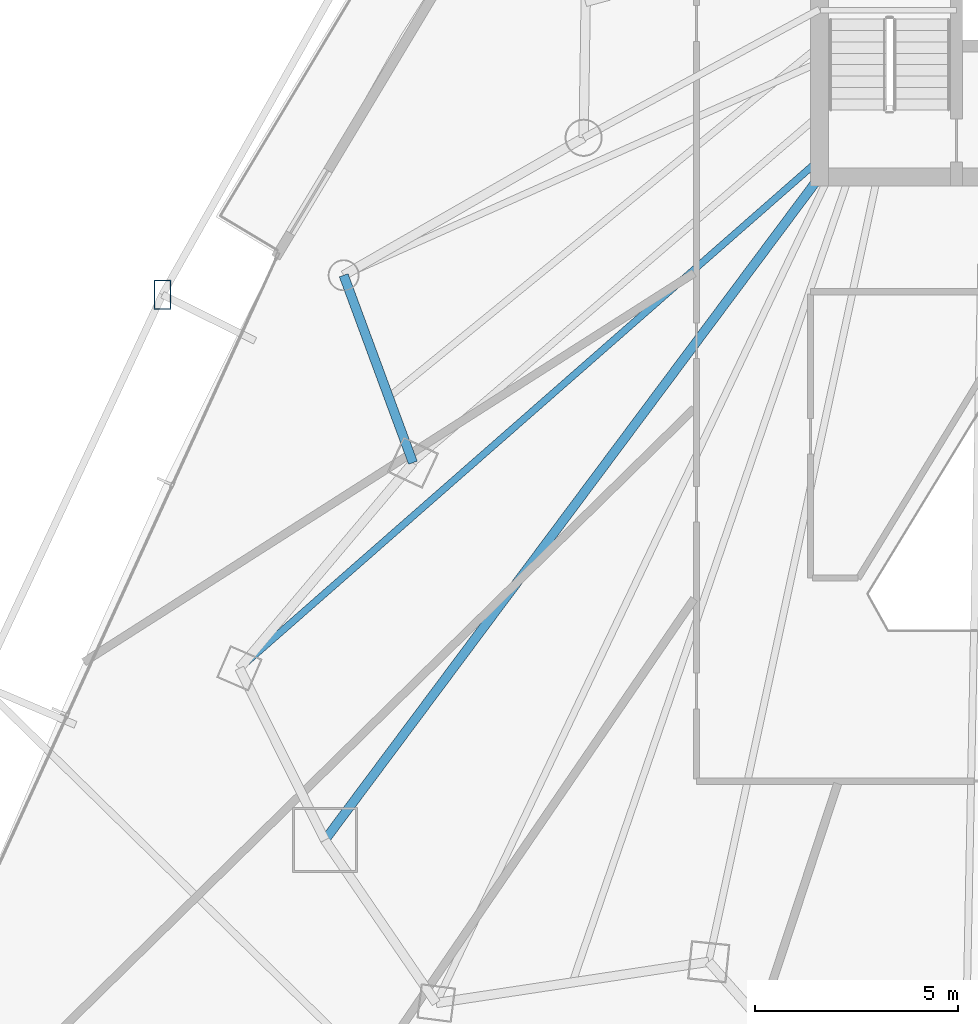
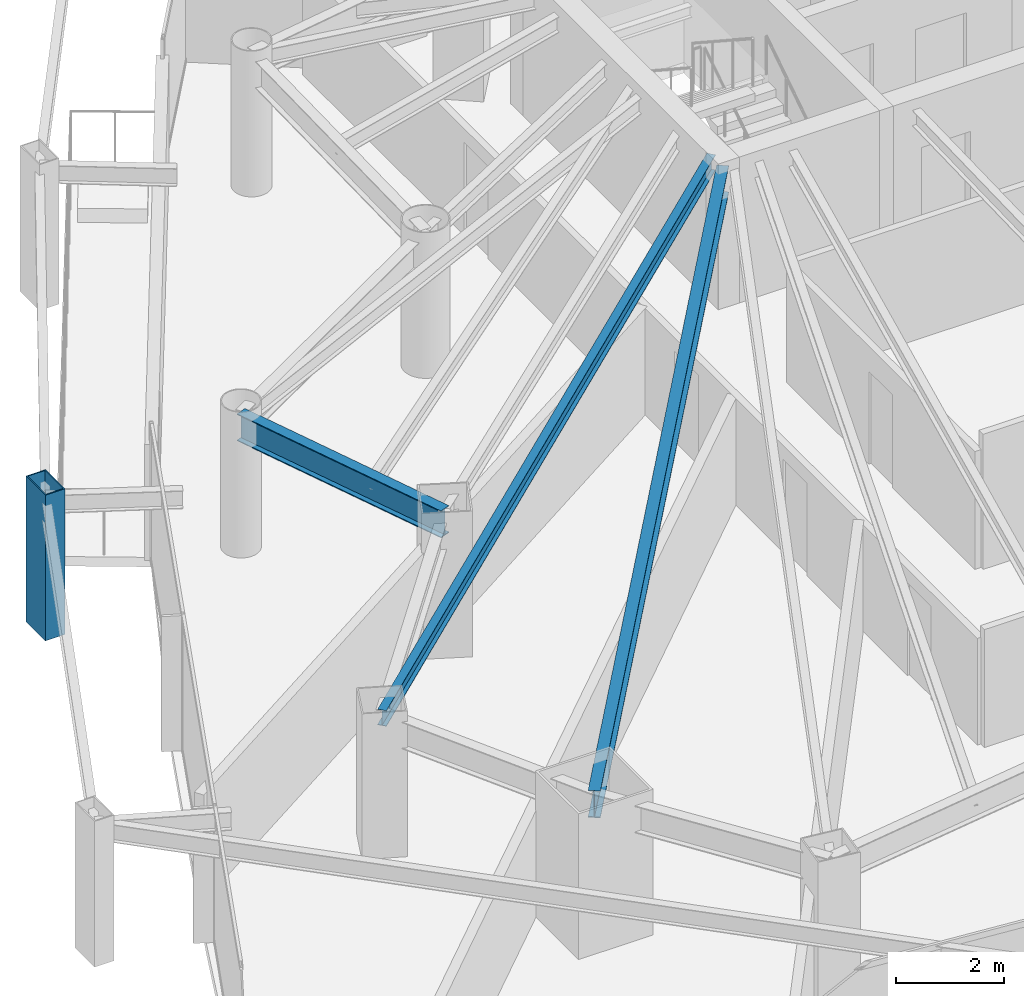
# One storey, part 9 of 34: 3 beams, 1 member.
"""IFC4 building model written with IfcOpenShell, lengths in metres."""

from ifc_helpers import new_model, si_unit, direction, frame, origin, origin_2d, place, context, subcontext, project, spatial, hollow_rectangle, i_section, extrude, material, material_profile, profile_set, type_object, element, save


model = new_model("IFC4")

# Units and contexts
model_context = context("Model", 3, precision=1e-05, world=origin(), true_north=direction((0.0, 1.0)))
body_context = subcontext(model_context, "Body", "Model", "MODEL_VIEW")
ifc_project = project(units=[si_unit("LENGTHUNIT", "METRE"), si_unit("AREAUNIT", "SQUARE_METRE"), si_unit("VOLUMEUNIT", "CUBIC_METRE"), si_unit("PLANEANGLEUNIT", "RADIAN"), si_unit("MASSUNIT", "GRAM", prefix="KILO")], contexts=[model_context])

# Site, building, storey
site_placement = place(None, origin())
site = spatial("IfcSite", under=ifc_project, at=site_placement, CompositionType="ELEMENT")
building_placement = place(site_placement, origin())
building = spatial("IfcBuilding", under=site, at=building_placement, Name="Orvanel Arch Residences", CompositionType="ELEMENT")
storey_placement = place(building_placement, frame((0.0, 0.0, 67.550048828125)))
storey = spatial("IfcBuildingStorey", under=building, at=storey_placement, Name="L18", CompositionType="ELEMENT", Elevation=67.550048828125)

# Beams
ifc_material_1 = material(Name="Structural steel AS/NZS 3679.1 Grade 300 (300 MPa)", Category="steel")
ifc_material_profile_1 = material_profile(ifc_material_1, i_section(OverallWidth=0.22900390625, OverallDepth=0.612060546875, WebThickness=0.011962890625, FlangeThickness=0.01953125, at=origin_2d()), Name="610UB125")
ifc_profile_set_1 = profile_set([ifc_material_profile_1], Name="Structural steel AS/NZS 3679.1 Grade 300 (300 MPa)")
beam_type_1 = type_object("IfcBeamType", Name="BG-610UB", PredefinedType="BEAM", material=ifc_profile_set_1)
beam_1_placement = place(storey_placement, frame((26.375, 26.675048828125, 2.75390625), z_axis=(-0.597893733742, -0.801575375839, 0.0), x_axis=(0.801575375839, -0.597893733742, 0.0)))
element("IfcBeam", 1, at=beam_1_placement, inside=storey, type_object=beam_type_1, Name="L18 South-West Radial Girder", PredefinedType="BEAM", context=body_context, shape_type="SweptSolid", body=[
    extrude(i_section(OverallWidth=0.22900390625, OverallDepth=0.612060546875, WebThickness=0.011962890625, FlangeThickness=0.01953125, at=origin_2d()), origin(), (0.0, 0.0, 1.0), 20.36474609375),
])
ifc_material_profile_2 = material_profile(ifc_material_1, i_section(OverallWidth=0.1708984375, OverallDepth=0.35595703125, WebThickness=0.00732421875, FlangeThickness=0.011474609375, at=origin_2d()), Name="360UB50.7")
ifc_profile_set_2 = profile_set([ifc_material_profile_2], Name="Structural steel AS/NZS 3679.1 Grade 300 (300 MPa)")
beam_type_2 = type_object("IfcBeamType", Name="BJ-360UB", PredefinedType="JOIST", material=ifc_profile_set_2)
beam_2_placement = place(storey_placement, frame((26.375, 27.10009765625, 2.8818359375), z_axis=(-0.751924114057, -0.659249669472, 0.0), x_axis=(0.659249669472, -0.751924114057, 0.0)))
element("IfcBeam", 2, at=beam_2_placement, inside=storey, type_object=beam_type_2, Name="L18 MW Wing Floor Joist", PredefinedType="JOIST", context=body_context, shape_type="SweptSolid", body=[
    extrude(i_section(OverallWidth=0.1708984375, OverallDepth=0.35595703125, WebThickness=0.00732421875, FlangeThickness=0.011474609375, at=origin_2d()), origin(), (0.0, 0.0, 1.0), 18.9912109375),
])

# Member
ifc_material_2 = material(Name="Structural steel AS/NZS 3678 Grade 350", Category="steel")
ifc_material_profile_3 = material_profile(ifc_material_2, hollow_rectangle(XDim=0.419921875, YDim=0.719970703125, WallThickness=0.02490234375, at=origin_2d()), Name="RHS720x420x25")
ifc_profile_set_3 = profile_set([ifc_material_profile_3], Name="Structural steel AS/NZS 3678 Grade 350")
member_type = type_object("IfcMemberType", Name="CH-720RHS-EXT", PredefinedType="CHORD", material=ifc_profile_set_3)
member_placement = place(storey_placement, frame((10.198974609375, 23.779052734375, 0.0), z_axis=(0.0, 0.0, 1.0), x_axis=(1.0, 0.0, 0.0)))
element("IfcMember", 3, at=member_placement, inside=storey, type_object=member_type, Name="L18 Outer Perimeter Frame Post 03", PredefinedType="CHORD", context=body_context, shape_type="SweptSolid", body=[
    extrude(hollow_rectangle(XDim=0.419921875, YDim=0.719970703125, WallThickness=0.02490234375, at=origin_2d()), origin(), (0.0, 0.0, 1.0), 3.300048828125),
])

# Beam
ifc_material_profile_4 = material_profile(ifc_material_1, i_section(OverallWidth=0.22900390625, OverallDepth=0.612060546875, WebThickness=0.011962890625, FlangeThickness=0.01953125, at=origin_2d()), Name="610UB125")
ifc_profile_set_4 = profile_set([ifc_material_profile_4], Name="Structural steel AS/NZS 3679.1 Grade 300 (300 MPa)")
beam_type_3 = type_object("IfcBeamType", Name="SP-610UB", PredefinedType="SPANDREL", material=ifc_profile_set_4)
beam_3_placement = place(storey_placement, frame((14.662109375, 24.256103515625, 2.75390625), z_axis=(0.346588434017, -0.938017301229, 0.0), x_axis=(0.938017301229, 0.346588434017, 0.0)))
element("IfcBeam", 4, at=beam_3_placement, inside=storey, type_object=beam_type_3, Name="L18 Perimeter Spandrel Beam 22", PredefinedType="SPANDREL", context=body_context, shape_type="SweptSolid", body=[
    extrude(i_section(OverallWidth=0.22900390625, OverallDepth=0.612060546875, WebThickness=0.011962890625, FlangeThickness=0.01953125, at=origin_2d()), origin(), (0.0, 0.0, 1.0), 4.9189453125),
])

save(model, "model.ifc")
